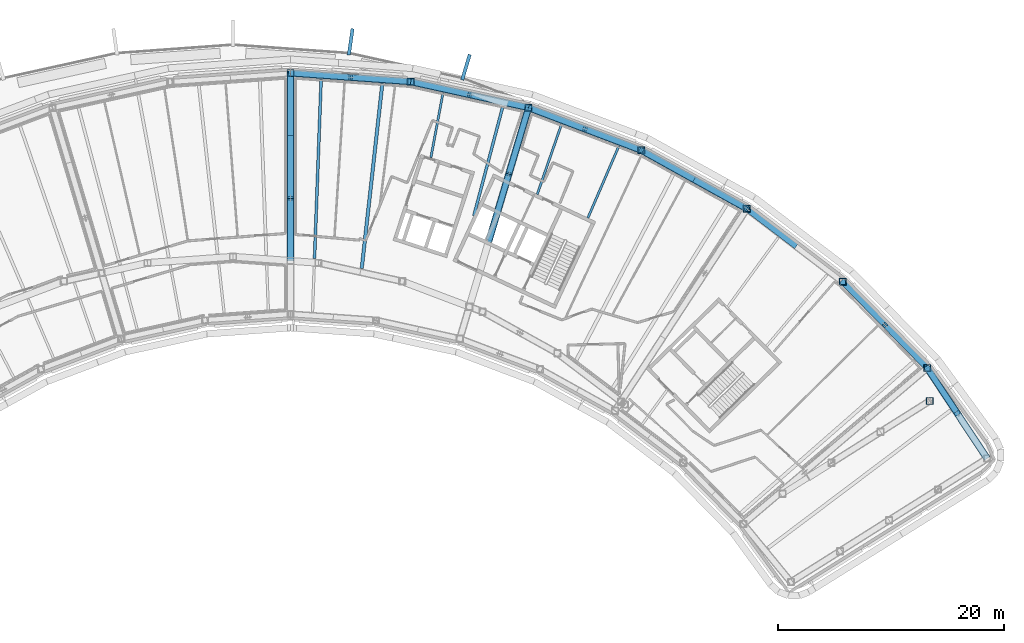
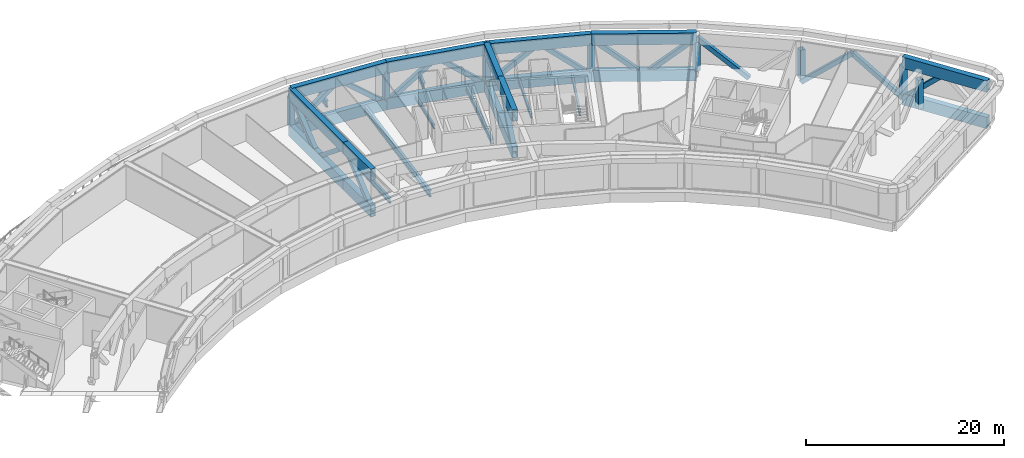
# One storey, part 5 of 24: 26 beams, 25 members.
"""IFC4 building model written with IfcOpenShell, lengths in metres."""

import ifcopenshell
import ifcopenshell.guid

model = None  # the IFC model being written
_history = None  # IfcOwnerHistory: only IFC2X3 demands one
_inside = {}  # id of a spatial element -> (the spatial element, [elements in it])
_under = {}  # id of a project, library or spatial element -> (it, [spatial elements below it])
_declared = {}  # id of a project -> (the project, [libraries it declares])
_typed = {}  # id of a type object -> (the type object, [elements of that type])
_made_of = {}  # id of a material, layer set ... -> (it, [elements and type objects made of it])


def new_model(schema):
    """Start an empty IFC model of exactly this schema.

    Asked for "IFC4X3", IfcOpenShell would pick the latest addendum, in which some entities
    have other attributes; the version numbers below select the first issue.
    IFC2X3 requires an IfcOwnerHistory on every rooted entity: one is made here for all.
    """
    global model, _history
    if schema == "IFC4X3":
        model = ifcopenshell.file(schema_version=(4, 3, 0, 0))
    else:
        model = ifcopenshell.file(schema=schema)
    _inside.clear()
    _under.clear()
    _declared.clear()
    _typed.clear()
    _made_of.clear()
    _history = None
    if model.schema == "IFC2X3":
        org = make("IfcOrganization", Name="unknown")
        user = make(
            "IfcPersonAndOrganization",
            ThePerson=make("IfcPerson", FamilyName="unknown"),
            TheOrganization=org,
        )
        app = make(
            "IfcApplication",
            ApplicationDeveloper=org,
            Version="unknown",
            ApplicationFullName="unknown",
            ApplicationIdentifier="unknown",
        )
        _history = make(
            "IfcOwnerHistory",
            OwningUser=user,
            OwningApplication=app,
            ChangeAction="ADDED",
            CreationDate=0,
        )
    return model


def make(cls, **values):
    """One entity of the class cls with the attributes given. An attribute that is None is left unset."""
    return model.create_entity(
        cls, **{name: value for name, value in values.items() if value is not None}
    )


def rooted(cls, **values):
    """An entity with a GlobalId (a new one), such as an element, a storey or a relation."""
    return make(cls, GlobalId=ifcopenshell.guid.new(), OwnerHistory=_history, **values)


def si_unit(unit_type, name, prefix=None):
    """IfcSIUnit, for example si_unit("LENGTHUNIT", "METRE", prefix="MILLI")."""
    return make("IfcSIUnit", UnitType=unit_type, Prefix=prefix, Name=name)


def assignment(units):
    """IfcUnitAssignment: the units of a project."""
    return None if units is None else make("IfcUnitAssignment", Units=units)


def point(xyz):
    """IfcCartesianPoint."""
    return None if xyz is None else make("IfcCartesianPoint", Coordinates=xyz)


def direction(xyz):
    """IfcDirection."""
    return None if xyz is None else make("IfcDirection", DirectionRatios=xyz)


def frame(location, z_axis=None, x_axis=None):
    """IfcAxis2Placement3D, a coordinate frame: its origin and axes. An axis left out is left unset."""
    return make(
        "IfcAxis2Placement3D",
        Location=point(location),
        Axis=direction(z_axis),
        RefDirection=direction(x_axis),
    )


def frame_2d(location, x_axis=None):
    """IfcAxis2Placement2D, a coordinate frame in the plane: its origin and x axis."""
    return make(
        "IfcAxis2Placement2D", Location=point(location), RefDirection=direction(x_axis)
    )


def origin():
    """The frame at (0, 0, 0) with its axes left unset."""
    return frame((0.0, 0.0, 0.0))


def origin_2d():
    """The frame at (0, 0) in the plane with its x axis left unset."""
    return frame_2d((0.0, 0.0))


def place(relative_to, where):
    """IfcLocalPlacement: puts the frame where relative to a parent placement (None: the world)."""
    return make(
        "IfcLocalPlacement", PlacementRelTo=relative_to, RelativePlacement=where
    )


def context(
    kind, dimensions, precision=None, world=None, true_north=None, identifier=None
):
    """IfcGeometricRepresentationContext, for example the 3D "Model" context."""
    return make(
        "IfcGeometricRepresentationContext",
        ContextIdentifier=identifier,
        ContextType=kind,
        CoordinateSpaceDimension=dimensions,
        Precision=precision,
        WorldCoordinateSystem=world,
        TrueNorth=true_north,
    )


def subcontext(parent, identifier, kind, view, scale=None):
    """IfcGeometricRepresentationSubContext, for example "Body" below "Model"."""
    return make(
        "IfcGeometricRepresentationSubContext",
        ContextIdentifier=identifier,
        ContextType=kind,
        ParentContext=parent,
        TargetScale=scale,
        TargetView=view,
    )


def project(units=None, contexts=None):
    """IfcProject with its units and contexts."""
    return rooted(
        "IfcProject",
        Name="project",
        RepresentationContexts=contexts,
        UnitsInContext=assignment(units),
    )


def spatial(cls, under=None, at=None, **own):
    """A site, building, storey or space (cls), placed at a placement, below another one or the project."""
    s = rooted(cls, ObjectPlacement=at, **own)
    if under is not None:
        _under.setdefault(under.id(), (under, []))[1].append(s)
    return s


def profile(cls, at=None, kind="AREA", **sizes):
    """A parametric profile (cls). Its sizes go by their IFC names, for example OverallWidth=200.0."""
    return make(cls, ProfileType=kind, Position=at, **sizes)


def hollow_rectangle(**sizes):
    """IfcRectangleHollowProfileDef."""
    return profile("IfcRectangleHollowProfileDef", **sizes)


def i_section(**sizes):
    """IfcIShapeProfileDef."""
    return profile("IfcIShapeProfileDef", **sizes)


def extrude(swept, where, along, depth):
    """IfcExtrudedAreaSolid: the profile swept, set in the frame where, extruded along a direction by depth."""
    return make(
        "IfcExtrudedAreaSolid",
        SweptArea=swept,
        Position=where,
        ExtrudedDirection=direction(along),
        Depth=depth,
    )


def shape(context_of_items, identifier, shape_type, items):
    """IfcShapeRepresentation: the items that make up one representation, for example the "Body"."""
    return make(
        "IfcShapeRepresentation",
        ContextOfItems=context_of_items,
        RepresentationIdentifier=identifier,
        RepresentationType=shape_type,
        Items=items,
    )


def material(Name=None, Category=None):
    """IfcMaterial."""
    return make("IfcMaterial", Name=Name, Category=Category)


def material_profile(
    of_material, cross_section, Name=None, Category=None, Priority=None
):
    """IfcMaterialProfile: a cross section and its material."""
    return make(
        "IfcMaterialProfile",
        Name=Name,
        Material=of_material,
        Profile=cross_section,
        Priority=Priority,
        Category=Category,
    )


def profile_set(profiles, Name=None, composite=None):
    """IfcMaterialProfileSet."""
    return make(
        "IfcMaterialProfileSet",
        Name=Name,
        MaterialProfiles=profiles,
        CompositeProfile=composite,
    )


def made_of(thing, what):
    """Note that an element or type object is made of a material, layer set ...; save() writes the relation."""
    if what is not None:
        _made_of.setdefault(what.id(), (what, []))[1].append(thing)
    return thing


def type_object(cls, material=None, **own):
    """A type object (cls), such as IfcWallType, which elements share."""
    return made_of(rooted(cls, **own), material)


def element(
    cls,
    number,
    at=None,
    inside=None,
    cuts=None,
    type_object=None,
    material=None,
    context=None,
    identifier="Body",
    shape_type=None,
    held_by="IfcProductDefinitionShape",
    body=None,
    shapes=None,
    **own,
):
    """One element of the class cls, such as IfcWall. Its Tag is "e" and its number.

    at: its placement. inside: the storey or other place that contains it. cuts: it is an
    opening in that element (IfcRelVoidsElement). A single representation is given by context,
    identifier, shape_type and body (its items); several are given by shapes. held_by: the class
    of the entity that holds the representations. save() writes the other relations.
    """
    e = rooted(cls, Tag="e%d" % number, ObjectPlacement=at, **own)
    if body is not None:
        shapes = [shape(context, identifier, shape_type, body)]
    if shapes is not None:
        e.Representation = make(held_by, Representations=shapes)
    if inside is not None:
        _inside.setdefault(inside.id(), (inside, []))[1].append(e)
    if cuts is not None:
        rooted(
            "IfcRelVoidsElement", RelatingBuildingElement=cuts, RelatedOpeningElement=e
        )
    if type_object is not None:
        _typed.setdefault(type_object.id(), (type_object, []))[1].append(e)
    return made_of(e, material)


def aggregate(whole, parts):
    """IfcRelAggregates: a whole, such as a stair, and the parts it consists of."""
    return rooted("IfcRelAggregates", RelatingObject=whole, RelatedObjects=parts)


def save(model, path):
    """Write the relations noted so far, then the file.

    IfcRelAggregates (storeys below a building ...), IfcRelContainedInSpatialStructure (elements
    in a storey), IfcRelDefinesByType, IfcRelAssociatesMaterial and IfcRelDeclares: one each for
    every whole, place, type object, material and project.
    """
    for whole, parts in _under.values():
        aggregate(whole, parts)
    for where, things in _inside.values():
        rooted(
            "IfcRelContainedInSpatialStructure",
            RelatedElements=things,
            RelatingStructure=where,
        )
    for kind, things in _typed.values():
        rooted("IfcRelDefinesByType", RelatedObjects=things, RelatingType=kind)
    for what, things in _made_of.values():
        rooted("IfcRelAssociatesMaterial", RelatedObjects=things, RelatingMaterial=what)
    for by, libraries in _declared.values():
        rooted("IfcRelDeclares", RelatingContext=by, RelatedDefinitions=libraries)
    model.write(path)


model = new_model("IFC4")

# Units and contexts
model_context = context("Model", 3, precision=1e-05, world=origin(), true_north=direction((0.0, 1.0)))
body_context = subcontext(model_context, "Body", "Model", "MODEL_VIEW")
ifc_project = project(units=[si_unit("LENGTHUNIT", "METRE"), si_unit("AREAUNIT", "SQUARE_METRE"), si_unit("VOLUMEUNIT", "CUBIC_METRE"), si_unit("PLANEANGLEUNIT", "RADIAN"), si_unit("MASSUNIT", "GRAM", prefix="KILO")], contexts=[model_context])

# Site, building, storey
site_placement = place(None, origin())
site = spatial("IfcSite", under=ifc_project, at=site_placement, CompositionType="ELEMENT")
building_placement = place(site_placement, origin())
building = spatial("IfcBuilding", under=site, at=building_placement, Name="Tuul Gate Civic Tower", CompositionType="ELEMENT")
storey_placement = place(building_placement, frame((0.0, 0.0, 243.89990234375)))
storey = spatial("IfcBuildingStorey", under=building, at=storey_placement, Name="Plant and refuge floor 6", CompositionType="ELEMENT", Elevation=243.89990234375)

# Beams
ifc_material_1 = material(Name="Steel S355", Category="steel")
ifc_material_profile_1 = material_profile(ifc_material_1, i_section(OverallWidth=0.199951171875, OverallDepth=0.5, WebThickness=0.010009765625, FlangeThickness=0.01611328125, at=origin_2d()), Name="PG500x200x10x16")
ifc_profile_set_1 = profile_set([ifc_material_profile_1], Name="Steel S355")
beam_type_1 = type_object("IfcBeamType", Name="STR-FLOOR BEAM-PG500x200x10x16", PredefinedType="BEAM", material=ifc_profile_set_1)
beam_1_placement = place(storey_placement, frame((37.35986328125, 0.64306640625, -0.64990234375), z_axis=(0.395895422756, 0.918295602865, 0.0), x_axis=(-0.918295602865, 0.395895422756, 0.0)))
element("IfcBeam", 1, at=beam_1_placement, inside=storey, type_object=beam_type_1, Name="Floor beam", PredefinedType="BEAM", context=body_context, shape_type="SweptSolid", body=[
    extrude(i_section(OverallWidth=0.199951171875, OverallDepth=0.5, WebThickness=0.010009765625, FlangeThickness=0.01611328125, at=origin_2d()), origin(), (0.0, 0.0, 1.0), 6.93017578125),
])
beam_2_placement = place(storey_placement, frame((32.879150390625, 2.732421875, -0.64990234375), z_axis=(0.326943015732, 0.945044054245, 0.0), x_axis=(-0.945044054245, 0.326943015732, 0.0)))
element("IfcBeam", 2, at=beam_2_placement, inside=storey, type_object=beam_type_1, Name="Floor beam", PredefinedType="BEAM", context=body_context, shape_type="SweptSolid", body=[
    extrude(i_section(OverallWidth=0.199951171875, OverallDepth=0.5, WebThickness=0.010009765625, FlangeThickness=0.01611328125, at=origin_2d()), origin(), (0.0, 0.0, 1.0), 6.556396484375),
])
beam_3_placement = place(storey_placement, frame((23.459716796875, 5.979736328125, -0.64990234375), z_axis=(0.183992993686, 0.982927554947, 0.0), x_axis=(-0.982927554947, 0.183992993686, 0.0)))
element("IfcBeam", 3, at=beam_3_placement, inside=storey, type_object=beam_type_1, Name="Floor beam", PredefinedType="BEAM", context=body_context, shape_type="SweptSolid", body=[
    extrude(i_section(OverallWidth=0.199951171875, OverallDepth=0.5, WebThickness=0.010009765625, FlangeThickness=0.01611328125, at=origin_2d()), origin(), (0.0, 0.0, 1.0), 5.835693359375),
])
ifc_material_2 = material(Name="Steel S355", Category="steel")
ifc_material_profile_2 = material_profile(ifc_material_2, i_section(OverallWidth=0.25, OverallDepth=0.64990234375, WebThickness=0.011962890625, FlangeThickness=0.02001953125, at=origin_2d()), Name="PG650x250x12x20")
ifc_profile_set_2 = profile_set([ifc_material_profile_2], Name="Steel S355")
beam_type_2 = type_object("IfcBeamType", Name="STR-FLOOR BEAM-PG650x250x12x20", PredefinedType="BEAM", material=ifc_profile_set_2)
beam_4_placement = place(storey_placement, frame((27.263671875, 0.8330078125, -0.724853515625), z_axis=(0.256162324569, 0.966633779397, 0.0), x_axis=(-0.966633779397, 0.256162324569, 0.0)))
element("IfcBeam", 4, at=beam_4_placement, inside=storey, type_object=beam_type_2, Name="Floor beam", PredefinedType="BEAM", context=body_context, shape_type="SweptSolid", body=[
    extrude(i_section(OverallWidth=0.25, OverallDepth=0.64990234375, WebThickness=0.011962890625, FlangeThickness=0.02001953125, at=origin_2d()), origin(), (0.0, 0.0, 1.0), 10.049072265625),
])
beam_5_placement = place(storey_placement, frame((13.158447265625, -2.96240234375, -0.724853515625), z_axis=(0.036990079432, 0.999315632833, 0.0), x_axis=(-0.999315632833, 0.036990079432, 0.0)))
element("IfcBeam", 5, at=beam_5_placement, inside=storey, type_object=beam_type_2, Name="Floor beam", PredefinedType="BEAM", context=body_context, shape_type="SweptSolid", body=[
    extrude(i_section(OverallWidth=0.25, OverallDepth=0.64990234375, WebThickness=0.011962890625, FlangeThickness=0.02001953125, at=origin_2d()), origin(), (0.0, 0.0, 1.0), 15.89990234375),
])
ifc_material_3 = material(Name="Steel S355", Category="steel")
ifc_material_profile_3 = material_profile(ifc_material_3, i_section(OverallWidth=0.300048828125, OverallDepth=0.800048828125, WebThickness=0.013916015625, FlangeThickness=0.02490234375, at=origin_2d()), Name="PG800x300x14x25")
ifc_profile_set_3 = profile_set([ifc_material_profile_3], Name="Steel S355")
beam_type_3 = type_object("IfcBeamType", Name="STR-FLOOR BEAM-PG800x300x14x25", PredefinedType="BEAM", material=ifc_profile_set_3)
beam_6_placement = place(storey_placement, frame((17.34033203125, -3.824462890625, -0.7998046875), z_axis=(0.110797805767, 0.993842968601, 0.0), x_axis=(-0.993842968601, 0.110797805767, 0.0)))
element("IfcBeam", 6, at=beam_6_placement, inside=storey, type_object=beam_type_3, Name="Floor beam", PredefinedType="BEAM", context=body_context, shape_type="SweptSolid", body=[
    extrude(i_section(OverallWidth=0.300048828125, OverallDepth=0.800048828125, WebThickness=0.013916015625, FlangeThickness=0.02490234375, at=origin_2d()), origin(), (0.0, 0.0, 1.0), 16.4599609375),
])
beam_7_placement = place(storey_placement, frame((26.902099609375, 15.112548828125, -0.7998046875), z_axis=(-0.285093790432, -0.958499624756, 0.0), x_axis=(0.958499624756, -0.285093790432, 0.0)))
element("IfcBeam", 7, at=beam_7_placement, inside=storey, type_object=beam_type_3, Name="Terrace beam", PredefinedType="BEAM", context=body_context, shape_type="SweptSolid", body=[
    extrude(i_section(OverallWidth=0.300048828125, OverallDepth=0.800048828125, WebThickness=0.013916015625, FlangeThickness=0.02490234375, at=origin_2d()), origin(), (0.0, 0.0, 1.0), 2.355712890625),
])
beam_8_placement = place(storey_placement, frame((16.53125, 17.398193359375, -0.7998046875), z_axis=(-0.144104009925, -0.989562546949, 0.0), x_axis=(0.989562546949, -0.144104009925, 0.0)))
element("IfcBeam", 8, at=beam_8_placement, inside=storey, type_object=beam_type_3, Name="Terrace beam", PredefinedType="BEAM", context=body_context, shape_type="SweptSolid", body=[
    extrude(i_section(OverallWidth=0.300048828125, OverallDepth=0.800048828125, WebThickness=0.013916015625, FlangeThickness=0.02490234375, at=origin_2d()), origin(), (0.0, 0.0, 1.0), 2.356689453125),
])
ifc_material_4 = material(Name="Steel S460", Category="steel")
ifc_material_profile_4 = material_profile(ifc_material_4, hollow_rectangle(XDim=0.60009765625, YDim=1.39990234375, WallThickness=0.031982421875, at=origin_2d()), Name="BOX1400x600x32")
ifc_profile_set_4 = profile_set([ifc_material_profile_4], Name="Steel S460")
beam_type_4 = type_object("IfcBeamType", Name="STR-TRANSFER TRUSS CHORD-BOX1400x600x32", PredefinedType="BEAM", material=ifc_profile_set_4)
for number, where, z_axis, x_axis, name in (
    (9, (32.10791015625, 10.405029296875, -1.099853515625), (-0.285205676344, -0.958466338575, 0.0), (0.958466338575, -0.285205676344, 0.0), "Radial truss bottom chord"),
    (10, (30.35986328125, 4.530517578125, -1.099853515625), (-0.285205676344, -0.958466338575, 0.0), (0.958466338575, -0.285205676344, 0.0), "Radial truss bottom chord"),
    (11, (32.10791015625, 10.405029296875, 3.400146484375), (-0.285205676344, -0.958466338575, 0.0), (0.958466338575, -0.285205676344, 0.0), "Radial truss top chord"),
    (12, (30.35986328125, 4.530517578125, 3.400146484375), (-0.285205676344, -0.958466338575, 0.0), (0.958466338575, -0.285205676344, 0.0), "Radial truss top chord"),
):
    element("IfcBeam", number, at=place(storey_placement, frame(where, z_axis=z_axis, x_axis=x_axis)), inside=storey, type_object=beam_type_4, Name=name, PredefinedType="BEAM", context=body_context, shape_type="SweptSolid", body=[
        extrude(hollow_rectangle(XDim=0.60009765625, YDim=1.39990234375, WallThickness=0.031982421875, at=origin_2d()), origin(), (0.0, 0.0, 1.0), 6.129150390625),
    ])
beam_9_placement = place(storey_placement, frame((11.031005859375, 13.47412109375, -1.099853515625), z_axis=(0.0, -1.0, 0.0), x_axis=(1.0, 0.0, 0.0)))
element("IfcBeam", 13, at=beam_9_placement, inside=storey, type_object=beam_type_4, Name="Radial truss bottom chord", PredefinedType="BEAM", context=body_context, shape_type="SweptSolid", body=[
    extrude(hollow_rectangle(XDim=0.60009765625, YDim=1.39990234375, WallThickness=0.031982421875, at=origin_2d()), origin(), (0.0, 0.0, 1.0), 11.0888671875),
])
beam_10_placement = place(storey_placement, frame((11.031005859375, 2.38525390625, -1.099853515625), z_axis=(0.0, -1.0, 0.0), x_axis=(1.0, 0.0, 0.0)))
element("IfcBeam", 14, at=beam_10_placement, inside=storey, type_object=beam_type_4, Name="Radial truss bottom chord", PredefinedType="BEAM", context=body_context, shape_type="SweptSolid", body=[
    extrude(hollow_rectangle(XDim=0.60009765625, YDim=1.39990234375, WallThickness=0.031982421875, at=origin_2d()), origin(), (0.0, 0.0, 1.0), 5.54443359375),
])
beam_11_placement = place(storey_placement, frame((11.031005859375, 13.47412109375, 3.400146484375), z_axis=(0.0, -1.0, 0.0), x_axis=(1.0, 0.0, 0.0)))
element("IfcBeam", 15, at=beam_11_placement, inside=storey, type_object=beam_type_4, Name="Radial truss top chord", PredefinedType="BEAM", context=body_context, shape_type="SweptSolid", body=[
    extrude(hollow_rectangle(XDim=0.60009765625, YDim=1.39990234375, WallThickness=0.031982421875, at=origin_2d()), origin(), (0.0, 0.0, 1.0), 11.0888671875),
])
beam_12_placement = place(storey_placement, frame((11.031005859375, 2.38525390625, 3.400146484375), z_axis=(0.0, -1.0, 0.0), x_axis=(1.0, 0.0, 0.0)))
element("IfcBeam", 16, at=beam_12_placement, inside=storey, type_object=beam_type_4, Name="Radial truss top chord", PredefinedType="BEAM", context=body_context, shape_type="SweptSolid", body=[
    extrude(hollow_rectangle(XDim=0.60009765625, YDim=1.39990234375, WallThickness=0.031982421875, at=origin_2d()), origin(), (0.0, 0.0, 1.0), 5.54443359375),
])
for number, where, z_axis, x_axis, name in (
    (17, (32.10791015625, 10.405029296875, -1.099853515625), (-0.9765717726, 0.21519194446, 0.0), (-0.21519194446, -0.9765717726, 0.0), "Belt truss bottom chord"),
    (18, (32.10791015625, 10.405029296875, 3.400146484375), (-0.9765717726, 0.21519194446, 0.0), (-0.21519194446, -0.9765717726, 0.0), "Belt truss top chord"),
):
    element("IfcBeam", number, at=place(storey_placement, frame(where, z_axis=z_axis, x_axis=x_axis)), inside=storey, type_object=beam_type_4, Name=name, PredefinedType="BEAM", context=body_context, shape_type="SweptSolid", body=[
        extrude(hollow_rectangle(XDim=0.60009765625, YDim=1.39990234375, WallThickness=0.031982421875, at=origin_2d()), origin(), (0.0, 0.0, 1.0), 10.67822265625),
    ])
for number, where, z_axis, x_axis, name in (
    (19, (42.094970703125, 6.6279296875, -1.099853515625), (-0.935341677357, 0.353745595873, 0.0), (-0.353745595873, -0.935341677357, 0.0), "Belt truss bottom chord"),
    (20, (42.094970703125, 6.6279296875, 3.400146484375), (-0.935341677357, 0.353745595873, 0.0), (-0.353745595873, -0.935341677357, 0.0), "Belt truss top chord"),
):
    element("IfcBeam", number, at=place(storey_placement, frame(where, z_axis=z_axis, x_axis=x_axis)), inside=storey, type_object=beam_type_4, Name=name, PredefinedType="BEAM", context=body_context, shape_type="SweptSolid", body=[
        extrude(hollow_rectangle(XDim=0.60009765625, YDim=1.39990234375, WallThickness=0.031982421875, at=origin_2d()), origin(), (0.0, 0.0, 1.0), 10.677490234375),
    ])
for number, where, z_axis, x_axis, name in (
    (21, (21.679931640625, 12.702880859375, -1.099853515625), (-0.997387637986, 0.072235030226, 0.0), (-0.072235030226, -0.997387637986, 0.0), "Belt truss bottom chord"),
    (22, (21.679931640625, 12.702880859375, 3.400146484375), (-0.997387637986, 0.072235030226, 0.0), (-0.072235030226, -0.997387637986, 0.0), "Belt truss top chord"),
    (23, (51.43310546875, 1.451904296875, -1.099853515625), (-0.874627142999, 0.484796205358, 0.0), (-0.484796205358, -0.874627142999, 0.0), "Belt truss bottom chord"),
    (24, (51.43310546875, 1.451904296875, 3.400146484375), (-0.874627142999, 0.484796205358, 0.0), (-0.484796205358, -0.874627142999, 0.0), "Belt truss top chord"),
):
    element("IfcBeam", number, at=place(storey_placement, frame(where, z_axis=z_axis, x_axis=x_axis)), inside=storey, type_object=beam_type_4, Name=name, PredefinedType="BEAM", context=body_context, shape_type="SweptSolid", body=[
        extrude(hollow_rectangle(XDim=0.60009765625, YDim=1.39990234375, WallThickness=0.031982421875, at=origin_2d()), origin(), (0.0, 0.0, 1.0), 10.6767578125),
    ])
for number, where, z_axis, x_axis, name in (
    (25, (72.701904296875, -20.654052734375, -1.099853515625), (-0.551634757696, 0.834085783419, 0.0), (-0.834085783419, -0.551634757696, 0.0), "Belt truss bottom chord"),
    (26, (72.701904296875, -20.654052734375, 3.400146484375), (-0.551634757696, 0.834085783419, 0.0), (-0.834085783419, -0.551634757696, 0.0), "Belt truss top chord"),
):
    element("IfcBeam", number, at=place(storey_placement, frame(where, z_axis=z_axis, x_axis=x_axis)), inside=storey, type_object=beam_type_4, Name=name, PredefinedType="BEAM", context=body_context, shape_type="SweptSolid", body=[
        extrude(hollow_rectangle(XDim=0.60009765625, YDim=1.39990234375, WallThickness=0.031982421875, at=origin_2d()), origin(), (0.0, 0.0, 1.0), 9.605712890625),
    ])

# Members
ifc_material_5 = material(Name="Steel S355", Category="steel")
ifc_material_profile_5 = material_profile(ifc_material_5, hollow_rectangle(XDim=0.5, YDim=0.5, WallThickness=0.02001953125, at=origin_2d()), Name="BOX500x500x20")
ifc_profile_set_5 = profile_set([ifc_material_profile_5], Name="Steel S355")
member_type_1 = type_object("IfcMemberType", Name="STR-TRANSFER TRUSS DIAGONAL-BOX500x500x20", PredefinedType="BRACE", material=ifc_profile_set_5)
for number, where, z_axis, x_axis, name in (
    (27, (32.109130859375, 10.408935546875, -1.102783203125), (-0.229912385042, -0.772595398216, 0.59180794677), (0.958461141248, -0.285223141975, 0.0), "Radial truss web"),
    (28, (28.610595703125, -1.347900390625, -1.102783203125), (0.229912385042, 0.772595398216, 0.59180794677), (-0.958461141248, 0.285223141975, 0.0), "Radial truss web"),
):
    element("IfcMember", number, at=place(storey_placement, frame(where, z_axis=z_axis, x_axis=x_axis)), inside=storey, type_object=member_type_1, Name=name, PredefinedType="BRACE", context=body_context, shape_type="SweptSolid", body=[
        extrude(hollow_rectangle(XDim=0.5, YDim=0.5, WallThickness=0.02001953125, at=origin_2d()), origin(), (0.0, 0.0, 1.0), 7.61376953125),
    ])
member_1_placement = place(storey_placement, frame((11.031005859375, 7.92578125, -1.10302734375), z_axis=(0.0, 0.776432429657, 0.630200509503), x_axis=(-1.0, 0.0, 0.0)))
element("IfcMember", 29, at=member_1_placement, inside=storey, type_object=member_type_1, Name="Radial truss web", PredefinedType="BRACE", context=body_context, shape_type="SweptSolid", body=[
    extrude(hollow_rectangle(XDim=0.5, YDim=0.5, WallThickness=0.02001953125, at=origin_2d()), origin(), (0.0, 0.0, 1.0), 7.150634765625),
])
for number, where, z_axis, x_axis, name in (
    (30, (11.031005859375, 7.93359375, -1.10302734375), (0.0, -0.776445988865, 0.630183803644), (1.0, 0.0, 0.0), "Radial truss web"),
    (31, (11.031005859375, -3.1630859375, -1.10302734375), (0.0, 0.776445988865, 0.630183803644), (-1.0, 0.0, 0.0), "Radial truss web"),
):
    element("IfcMember", number, at=place(storey_placement, frame(where, z_axis=z_axis, x_axis=x_axis)), inside=storey, type_object=member_type_1, Name=name, PredefinedType="BRACE", context=body_context, shape_type="SweptSolid", body=[
        extrude(hollow_rectangle(XDim=0.5, YDim=0.5, WallThickness=0.02001953125, at=origin_2d()), origin(), (0.0, 0.0, 1.0), 7.15087890625),
    ])
for number, where, z_axis, x_axis, name in (
    (32, (32.11181640625, 10.404296875, -1.10302734375), (-0.746723524842, 0.16455360605, 0.644457980153), (-0.215204102376, -0.97656909347, 0.0), "Belt truss web"),
    (33, (21.67626953125, 12.703857421875, -1.10302734375), (0.746723524842, -0.16455360605, 0.644457980153), (0.215204102376, 0.97656909347, 0.0), "Belt truss web"),
    (34, (67.40576171875, -12.644775390625, -1.10302734375), (-0.535278729604, 0.546032486614, 0.644457295091), (-0.714103721208, -0.700039909831, 0.0), "Belt truss web"),
    (35, (59.92529296875, -5.01416015625, -1.10302734375), (0.535278729604, -0.546032486614, 0.644457295091), (0.714103721208, 0.700039909831, 0.0), "Belt truss web"),
    (36, (55.68359375, -1.784912109375, -1.10302734375), (-0.608326833027, 0.463254343145, 0.644464023648), (-0.605850589362, -0.795578445768, 0.0), "Belt truss web"),
):
    element("IfcMember", number, at=place(storey_placement, frame(where, z_axis=z_axis, x_axis=x_axis)), inside=storey, type_object=member_type_1, Name=name, PredefinedType="BRACE", context=body_context, shape_type="SweptSolid", body=[
        extrude(hollow_rectangle(XDim=0.5, YDim=0.5, WallThickness=0.02001953125, at=origin_2d()), origin(), (0.0, 0.0, 1.0), 6.992431640625),
    ])
member_2_placement = place(storey_placement, frame((42.0986328125, 6.626708984375, -1.10302734375), z_axis=(-0.715187689087, 0.270460569236, 0.644482466687), x_axis=(-0.353719353059, -0.935351601951, 0.0)))
element("IfcMember", 37, at=member_2_placement, inside=storey, type_object=member_type_1, Name="Belt truss web", PredefinedType="BRACE", context=body_context, shape_type="SweptSolid", body=[
    extrude(hollow_rectangle(XDim=0.5, YDim=0.5, WallThickness=0.02001953125, at=origin_2d()), origin(), (0.0, 0.0, 1.0), 6.9921875),
])
for number, where, z_axis, x_axis, name in (
    (38, (32.1044921875, 10.40625, -1.10302734375), (0.715170631674, -0.270467323159, 0.64449856066), (0.353734461939, 0.935345888127, 0.0), "Belt truss web"),
    (39, (21.683837890625, 12.70263671875, -1.10302734375), (-0.762599357042, 0.055239568811, 0.64450819287), (-0.072246607906, -0.997386799414, 0.0), "Belt truss web"),
):
    element("IfcMember", number, at=place(storey_placement, frame(where, z_axis=z_axis, x_axis=x_axis)), inside=storey, type_object=member_type_1, Name=name, PredefinedType="BRACE", context=body_context, shape_type="SweptSolid", body=[
        extrude(hollow_rectangle(XDim=0.5, YDim=0.5, WallThickness=0.02001953125, at=origin_2d()), origin(), (0.0, 0.0, 1.0), 6.991943359375),
    ])
member_3_placement = place(storey_placement, frame((11.027099609375, 13.474365234375, -1.10302734375), z_axis=(0.762613967437, -0.055238097912, 0.644491031132), x_axis=(0.072243317327, 0.997387037765, 0.0)))
element("IfcMember", 40, at=member_3_placement, inside=storey, type_object=member_type_1, Name="Belt truss web", PredefinedType="BRACE", context=body_context, shape_type="SweptSolid", body=[
    extrude(hollow_rectangle(XDim=0.5, YDim=0.5, WallThickness=0.02001953125, at=origin_2d()), origin(), (0.0, 0.0, 1.0), 6.9921875),
])
member_4_placement = place(storey_placement, frame((46.7607421875, 4.041748046875, -1.10302734375), z_axis=(0.66872615457, -0.37066096448, 0.644527563107), x_axis=(0.484789614278, 0.87463079633, 0.0)))
element("IfcMember", 41, at=member_4_placement, inside=storey, type_object=member_type_1, Name="Belt truss web", PredefinedType="BRACE", context=body_context, shape_type="SweptSolid", body=[
    extrude(hollow_rectangle(XDim=0.5, YDim=0.5, WallThickness=0.02001953125, at=origin_2d()), origin(), (0.0, 0.0, 1.0), 6.99169921875),
])
member_5_placement = place(storey_placement, frame((46.767333984375, 4.0380859375, -1.10302734375), z_axis=(-0.668736801701, 0.370682429347, 0.644504171146), x_axis=(-0.484805185284, -0.874622165464, 0.0)))
element("IfcMember", 42, at=member_5_placement, inside=storey, type_object=member_type_1, Name="Belt truss web", PredefinedType="BRACE", context=body_context, shape_type="SweptSolid", body=[
    extrude(hollow_rectangle(XDim=0.5, YDim=0.5, WallThickness=0.02001953125, at=origin_2d()), origin(), (0.0, 0.0, 1.0), 6.991943359375),
])
member_6_placement = place(storey_placement, frame((67.40087890625, -12.638916015625, -1.103271484375), z_axis=(0.402560217053, -0.608673714882, 0.68371162083), x_axis=(0.834082626084, 0.551639531636, 0.0)))
element("IfcMember", 43, at=member_6_placement, inside=storey, type_object=member_type_1, Name="Belt truss web", PredefinedType="BRACE", context=body_context, shape_type="SweptSolid", body=[
    extrude(hollow_rectangle(XDim=0.5, YDim=0.5, WallThickness=0.02001953125, at=origin_2d()), origin(), (0.0, 0.0, 1.0), 6.591796875),
])
ifc_material_6 = material(Name="Steel S355", Category="steel")
ifc_material_profile_6 = material_profile(ifc_material_6, hollow_rectangle(XDim=0.60009765625, YDim=0.60009765625, WallThickness=0.028076171875, at=origin_2d()), Name="BOX600x600x28")
ifc_profile_set_6 = profile_set([ifc_material_profile_6], Name="Steel S355")
member_type_2 = type_object("IfcMemberType", Name="STR-TRUSS POST-BOX600x600x28", PredefinedType="POST", material=ifc_profile_set_6)
for number, where, z_axis, x_axis, name in (
    (44, (51.43310546875, 1.451904296875, -0.64501953125), (0.0, 0.0, 1.0), (1.0, 0.0, 0.0), "Radial truss post"),
    (45, (32.10791015625, 10.405029296875, -0.64501953125), (0.0, 0.0, 1.0), (1.0, 0.0, 0.0), "Radial truss post"),
    (46, (11.031005859375, 13.47412109375, -0.64501953125), (0.0, 0.0, 1.0), (1.0, 0.0, 0.0), "Radial truss post"),
    (47, (67.403076171875, -12.64208984375, -0.64501953125), (0.0, 0.0, 1.0), (1.0, 0.0, 0.0), "Radial truss post"),
    (48, (21.679931640625, 12.702880859375, -0.64501953125), (0.0, 0.0, 1.0), (1.0, 0.0, 0.0), "Belt truss post"),
    (49, (59.927978515625, -5.01708984375, -0.64501953125), (0.0, 0.0, 1.0), (1.0, 0.0, 0.0), "Belt truss post"),
    (50, (42.094970703125, 6.6279296875, -0.64501953125), (0.0, 0.0, 1.0), (1.0, 0.0, 0.0), "Belt truss post"),
    (51, (67.611083984375, -15.56298828125, -0.64501953125), (0.0, 0.0, 1.0), (1.0, 0.0, 0.0), "Belt truss post"),
):
    element("IfcMember", number, at=place(storey_placement, frame(where, z_axis=z_axis, x_axis=x_axis)), inside=storey, type_object=member_type_2, Name=name, PredefinedType="POST", context=body_context, shape_type="SweptSolid", body=[
        extrude(hollow_rectangle(XDim=0.60009765625, YDim=0.60009765625, WallThickness=0.028076171875, at=origin_2d()), origin(), (0.0, 0.0, 1.0), 3.590087890625),
    ])

save(model, "model.ifc")
